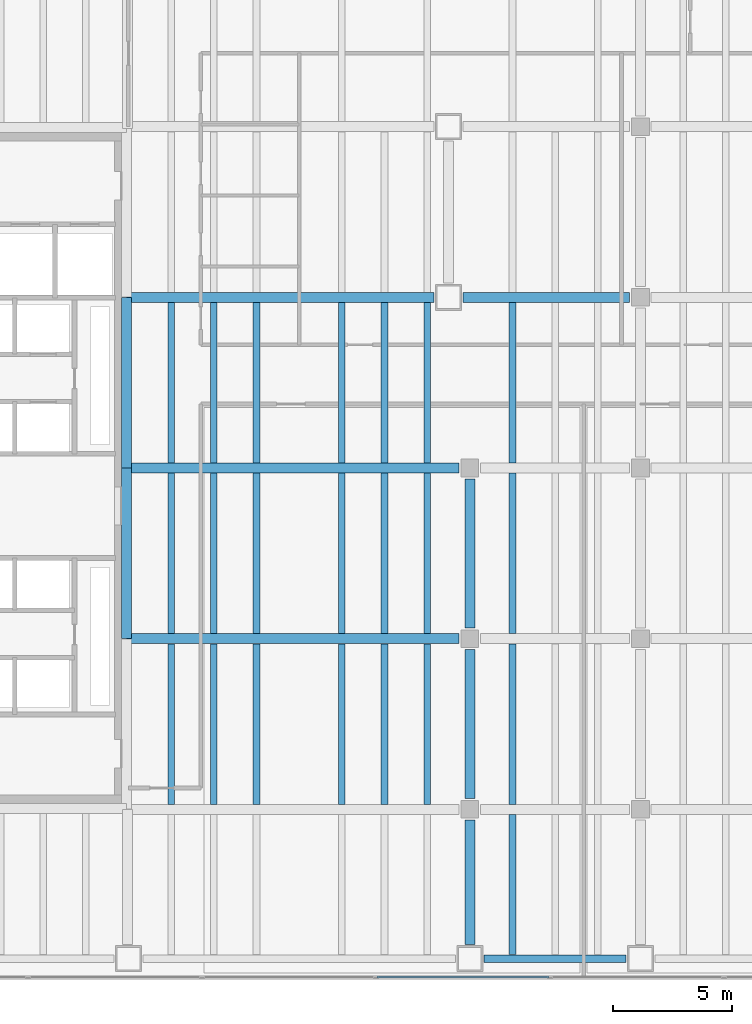
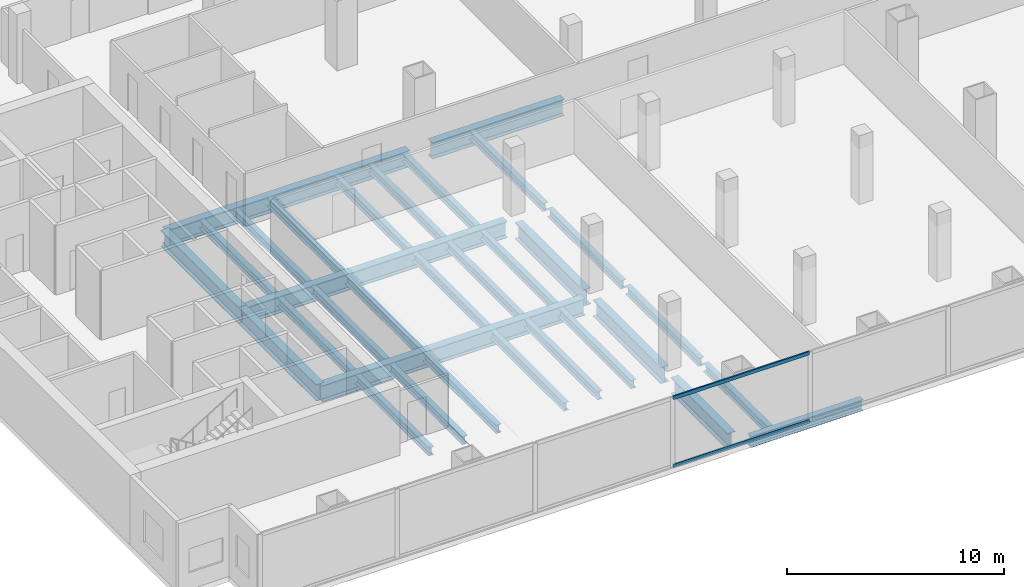
# One storey, part 4 of 28: 32 beams, 2 members, 1 element without a shape of its own.
"""IFC4 building model written with IfcOpenShell, lengths in metres."""

from ifc_helpers import new_model, si_unit, direction, frame, origin, origin_2d, place, context, subcontext, project, spatial, hollow_rectangle, i_section, extrude, material, material_profile, profile_set, type_object, element, aggregate, save


model = new_model("IFC4")

# Units and contexts
model_context = context("Model", 3, precision=1e-05, world=origin(), true_north=direction((0.0, 1.0)))
body_context = subcontext(model_context, "Body", "Model", "MODEL_VIEW")
ifc_project = project(units=[si_unit("LENGTHUNIT", "METRE"), si_unit("AREAUNIT", "SQUARE_METRE"), si_unit("VOLUMEUNIT", "CUBIC_METRE"), si_unit("PLANEANGLEUNIT", "RADIAN"), si_unit("MASSUNIT", "GRAM", prefix="KILO")], contexts=[model_context])

# Site, building, storey
site_placement = place(None, origin())
site = spatial("IfcSite", under=ifc_project, at=site_placement, CompositionType="ELEMENT")
building_placement = place(site_placement, origin())
building = spatial("IfcBuilding", under=site, at=building_placement, Name="Cobrela Telecom Tower", CompositionType="ELEMENT")
storey_placement = place(building_placement, frame((0.0, 0.0, 17.85009765625)))
storey = spatial("IfcBuildingStorey", under=building, at=storey_placement, Name="L04", CompositionType="ELEMENT", Elevation=17.85009765625)

# Beams
ifc_material_1 = material(Name="Steel ASTM A992 Grade 50", Category="steel")
ifc_material_profile_1 = material_profile(ifc_material_1, i_section(OverallWidth=0.4189453125, OverallDepth=0.927001953125, WebThickness=0.019287109375, FlangeThickness=0.031982421875, FilletRadius=0.02392578125, at=origin_2d()), Name="W36X231")
ifc_profile_set_1 = profile_set([ifc_material_profile_1], Name="Steel ASTM A992 Grade 50")
beam_type_1 = type_object("IfcBeamType", Name="BM-GIRD-02", PredefinedType="USERDEFINED", material=ifc_profile_set_1)
for number, where, z_axis, x_axis, name in (
    (1, (14.324951171875, 14.39990234375, -0.753662109375), (1.0, 0.0, 0.0), (0.0, 1.0, 0.0), "L04 Primary Girder X20"),
    (2, (14.324951171875, 21.60009765625, -0.753662109375), (1.0, 0.0, 0.0), (0.0, 1.0, 0.0), "L04 Primary Girder X29"),
):
    element("IfcBeam", number, at=place(storey_placement, frame(where, z_axis=z_axis, x_axis=x_axis)), inside=storey, type_object=beam_type_1, Name=name, ObjectType="GIRDER", PredefinedType="USERDEFINED", context=body_context, shape_type="SweptSolid", body=[
        extrude(i_section(OverallWidth=0.4189453125, OverallDepth=0.927001953125, WebThickness=0.019287109375, FlangeThickness=0.031982421875, FilletRadius=0.02392578125, at=origin_2d()), origin(), (0.0, 0.0, 1.0), 14.02001953125),
    ])
beam_1_placement = place(storey_placement, frame((14.324951171875, 28.800048828125, -0.753662109375), z_axis=(1.0, 0.0, 0.0), x_axis=(0.0, 1.0, 0.0)))
element("IfcBeam", 3, at=beam_1_placement, inside=storey, type_object=beam_type_1, Name="L04 Primary Girder X38", ObjectType="GIRDER", PredefinedType="USERDEFINED", context=body_context, shape_type="SweptSolid", body=[
    extrude(i_section(OverallWidth=0.4189453125, OverallDepth=0.927001953125, WebThickness=0.019287109375, FlangeThickness=0.031982421875, FilletRadius=0.02392578125, at=origin_2d()), origin(), (0.0, 0.0, 1.0), 12.969970703125),
])
beam_2_placement = place(storey_placement, frame((28.5048828125, 28.800048828125, -0.753662109375), z_axis=(1.0, 0.0, 0.0), x_axis=(0.0, 1.0, 0.0)))
element("IfcBeam", 4, at=beam_2_placement, inside=storey, type_object=beam_type_1, Name="L04 Primary Girder X39", ObjectType="GIRDER", PredefinedType="USERDEFINED", context=body_context, shape_type="SweptSolid", body=[
    extrude(i_section(OverallWidth=0.4189453125, OverallDepth=0.927001953125, WebThickness=0.019287109375, FlangeThickness=0.031982421875, FilletRadius=0.02392578125, at=origin_2d()), origin(), (0.0, 0.0, 1.0), 7.0400390625),
])
for number, where, z_axis, x_axis, name in (
    (5, (14.320068359375, 14.405029296875, -0.753662109375), (0.0, 1.0, 0.0), (-1.0, 0.0, 0.0), "L04 Primary Girder Y62"),
    (6, (14.320068359375, 21.60498046875, -0.753662109375), (0.0, 1.0, 0.0), (-1.0, 0.0, 0.0), "L04 Primary Girder Y63"),
):
    element("IfcBeam", number, at=place(storey_placement, frame(where, z_axis=z_axis, x_axis=x_axis)), inside=storey, type_object=beam_type_1, Name=name, ObjectType="GIRDER", PredefinedType="USERDEFINED", context=body_context, shape_type="SweptSolid", body=[
        extrude(i_section(OverallWidth=0.4189453125, OverallDepth=0.927001953125, WebThickness=0.019287109375, FlangeThickness=0.031982421875, FilletRadius=0.02392578125, at=origin_2d()), origin(), (0.0, 0.0, 1.0), 7.18994140625),
    ])
beam_3_placement = place(storey_placement, frame((28.800048828125, 1.5048828125, -0.753662109375), z_axis=(0.0, 1.0, 0.0), x_axis=(-1.0, 0.0, 0.0)))
element("IfcBeam", 7, at=beam_3_placement, inside=storey, type_object=beam_type_1, Name="L04 Primary Girder Y68", ObjectType="GIRDER", PredefinedType="USERDEFINED", context=body_context, shape_type="SweptSolid", body=[
    extrude(i_section(OverallWidth=0.4189453125, OverallDepth=0.927001953125, WebThickness=0.019287109375, FlangeThickness=0.031982421875, FilletRadius=0.02392578125, at=origin_2d()), origin(), (0.0, 0.0, 1.0), 5.240234375),
])
for number, where, z_axis, x_axis, name in (
    (8, (28.800048828125, 7.655029296875, -0.753662109375), (0.0, 1.0, 0.0), (-1.0, 0.0, 0.0), "L04 Primary Girder Y69"),
    (9, (28.800048828125, 14.85498046875, -0.753662109375), (0.0, 1.0, 0.0), (-1.0, 0.0, 0.0), "L04 Primary Girder Y70"),
):
    element("IfcBeam", number, at=place(storey_placement, frame(where, z_axis=z_axis, x_axis=x_axis)), inside=storey, type_object=beam_type_1, Name=name, ObjectType="GIRDER", PredefinedType="USERDEFINED", context=body_context, shape_type="SweptSolid", body=[
        extrude(i_section(OverallWidth=0.4189453125, OverallDepth=0.927001953125, WebThickness=0.019287109375, FlangeThickness=0.031982421875, FilletRadius=0.02392578125, at=origin_2d()), origin(), (0.0, 0.0, 1.0), 6.2900390625),
    ])
ifc_material_profile_2 = material_profile(ifc_material_1, i_section(OverallWidth=0.281982421875, OverallDepth=0.467041015625, WebThickness=0.01220703125, FlangeThickness=0.01953125, FilletRadius=0.012939453125, at=origin_2d()), Name="W18X86")
ifc_profile_set_2 = profile_set([ifc_material_profile_2], Name="Steel ASTM A992 Grade 50")
beam_type_2 = type_object("IfcBeamType", Name="BM-JOIST-02", PredefinedType="JOIST", material=ifc_profile_set_2)
for number, where, z_axis, x_axis, name in (
    (10, (16.199951171875, 7.41455078125, -0.523681640625), (0.0, 1.0, 0.0), (-1.0, 0.0, 0.0), "L04 Secondary Composite Floor Beam J14"),
    (11, (16.199951171875, 14.614501953125, -0.523681640625), (0.0, 1.0, 0.0), (-1.0, 0.0, 0.0), "L04 Secondary Composite Floor Beam J15"),
    (12, (16.199951171875, 21.814453125, -0.523681640625), (0.0, 1.0, 0.0), (-1.0, 0.0, 0.0), "L04 Secondary Composite Floor Beam J16"),
    (13, (18.0, 7.41455078125, -0.523681640625), (0.0, 1.0, 0.0), (-1.0, 0.0, 0.0), "L04 Secondary Composite Floor Beam J21"),
    (14, (18.0, 14.614501953125, -0.523681640625), (0.0, 1.0, 0.0), (-1.0, 0.0, 0.0), "L04 Secondary Composite Floor Beam J22"),
    (15, (18.0, 21.814453125, -0.523681640625), (0.0, 1.0, 0.0), (-1.0, 0.0, 0.0), "L04 Secondary Composite Floor Beam J23"),
    (16, (19.800048828125, 7.41455078125, -0.523681640625), (0.0, 1.0, 0.0), (-1.0, 0.0, 0.0), "L04 Secondary Composite Floor Beam J28"),
    (17, (19.800048828125, 14.614501953125, -0.523681640625), (0.0, 1.0, 0.0), (-1.0, 0.0, 0.0), "L04 Secondary Composite Floor Beam J29"),
    (18, (19.800048828125, 21.814453125, -0.523681640625), (0.0, 1.0, 0.0), (-1.0, 0.0, 0.0), "L04 Secondary Composite Floor Beam J30"),
    (19, (23.39990234375, 7.41455078125, -0.523681640625), (0.0, 1.0, 0.0), (-1.0, 0.0, 0.0), "L04 Secondary Composite Floor Beam J35"),
    (20, (23.39990234375, 14.614501953125, -0.523681640625), (0.0, 1.0, 0.0), (-1.0, 0.0, 0.0), "L04 Secondary Composite Floor Beam J36"),
    (21, (23.39990234375, 21.814453125, -0.523681640625), (0.0, 1.0, 0.0), (-1.0, 0.0, 0.0), "L04 Secondary Composite Floor Beam J37"),
    (22, (25.199951171875, 7.41455078125, -0.523681640625), (0.0, 1.0, 0.0), (-1.0, 0.0, 0.0), "L04 Secondary Composite Floor Beam J41"),
    (23, (25.199951171875, 14.614501953125, -0.523681640625), (0.0, 1.0, 0.0), (-1.0, 0.0, 0.0), "L04 Secondary Composite Floor Beam J42"),
    (24, (25.199951171875, 21.814453125, -0.523681640625), (0.0, 1.0, 0.0), (-1.0, 0.0, 0.0), "L04 Secondary Composite Floor Beam J43"),
    (25, (27.0, 7.41455078125, -0.523681640625), (0.0, 1.0, 0.0), (-1.0, 0.0, 0.0), "L04 Secondary Composite Floor Beam J46"),
    (26, (27.0, 14.614501953125, -0.523681640625), (0.0, 1.0, 0.0), (-1.0, 0.0, 0.0), "L04 Secondary Composite Floor Beam J47"),
    (27, (27.0, 21.814453125, -0.523681640625), (0.0, 1.0, 0.0), (-1.0, 0.0, 0.0), "L04 Secondary Composite Floor Beam J48"),
):
    element("IfcBeam", number, at=place(storey_placement, frame(where, z_axis=z_axis, x_axis=x_axis)), inside=storey, type_object=beam_type_2, Name=name, PredefinedType="JOIST", context=body_context, shape_type="SweptSolid", body=[
        extrude(i_section(OverallWidth=0.281982421875, OverallDepth=0.467041015625, WebThickness=0.01220703125, FlangeThickness=0.01953125, FilletRadius=0.012939453125, at=origin_2d()), origin(), (0.0, 0.0, 1.0), 6.77099609375),
    ])
beam_4_placement = place(storey_placement, frame((30.60009765625, 1.0673828125, -0.523681640625), z_axis=(0.0, 1.0, 0.0), x_axis=(-1.0, 0.0, 0.0)))
element("IfcBeam", 28, at=beam_4_placement, inside=storey, type_object=beam_type_2, Name="L04 Secondary Composite Floor Beam J51", PredefinedType="JOIST", context=body_context, shape_type="SweptSolid", body=[
    extrude(i_section(OverallWidth=0.281982421875, OverallDepth=0.467041015625, WebThickness=0.01220703125, FlangeThickness=0.01953125, FilletRadius=0.012939453125, at=origin_2d()), origin(), (0.0, 0.0, 1.0), 5.918212890625),
])
for number, where, z_axis, x_axis, name in (
    (29, (30.60009765625, 7.41455078125, -0.523681640625), (0.0, 1.0, 0.0), (-1.0, 0.0, 0.0), "L04 Secondary Composite Floor Beam J52"),
    (30, (30.60009765625, 14.614501953125, -0.523681640625), (0.0, 1.0, 0.0), (-1.0, 0.0, 0.0), "L04 Secondary Composite Floor Beam J53"),
    (31, (30.60009765625, 21.814453125, -0.523681640625), (0.0, 1.0, 0.0), (-1.0, 0.0, 0.0), "L04 Secondary Composite Floor Beam J54"),
):
    element("IfcBeam", number, at=place(storey_placement, frame(where, z_axis=z_axis, x_axis=x_axis)), inside=storey, type_object=beam_type_2, Name=name, PredefinedType="JOIST", context=body_context, shape_type="SweptSolid", body=[
        extrude(i_section(OverallWidth=0.281982421875, OverallDepth=0.467041015625, WebThickness=0.01220703125, FlangeThickness=0.01953125, FilletRadius=0.012939453125, at=origin_2d()), origin(), (0.0, 0.0, 1.0), 6.77099609375),
    ])
ifc_material_profile_3 = material_profile(ifc_material_1, i_section(OverallWidth=0.324951171875, OverallDepth=0.612060546875, WebThickness=0.0126953125, FlangeThickness=0.01904296875, FilletRadius=0.014892578125, at=origin_2d()), Name="W24X104")
ifc_profile_set_3 = profile_set([ifc_material_profile_3], Name="Steel ASTM A992 Grade 50")
beam_type_3 = type_object("IfcBeamType", Name="BM-SPAND-02", PredefinedType="SPANDREL", material=ifc_profile_set_3)
beam_5_placement = place(storey_placement, frame((29.405029296875, 0.89990234375, -0.59619140625), z_axis=(1.0, 0.0, 0.0), x_axis=(0.0, 1.0, 0.0)))
element("IfcBeam", 32, at=beam_5_placement, inside=storey, type_object=beam_type_3, Name="L04 Perimeter Spandrel X03", PredefinedType="SPANDREL", context=body_context, shape_type="SweptSolid", body=[
    extrude(i_section(OverallWidth=0.324951171875, OverallDepth=0.612060546875, WebThickness=0.0126953125, FlangeThickness=0.01904296875, FilletRadius=0.014892578125, at=origin_2d()), origin(), (0.0, 0.0, 1.0), 5.989990234375),
])

# Curtain wall, members
ifc_material_2 = material(Name="Anodized Bronze Aluminium 6063-T6", Category="aluminium")
curtain_wall_type = type_object("IfcCurtainWallType", Name="CW-SYS-CONC", PredefinedType="USERDEFINED", material=ifc_material_2)
curtain_wall_placement = place(storey_placement, origin())
curtain_wall = element("IfcCurtainWall", 33, at=curtain_wall_placement, inside=storey, type_object=curtain_wall_type, Name="L04 Unitised Bronze Curtain Wall 17", ObjectType="UNITISED CURTAIN WALL", PredefinedType="USERDEFINED")
ifc_material_profile_4 = material_profile(ifc_material_2, hollow_rectangle(XDim=0.080078125, YDim=0.199951171875, WallThickness=0.00390625, at=origin_2d()), Name="ALU 80x200x4")
ifc_profile_set_4 = profile_set([ifc_material_profile_4], Name="Anodized Bronze Aluminium 6063-T6")
member_type = type_object("IfcMemberType", Name="CW-SYS-CONC-TRN", PredefinedType="USERDEFINED", material=ifc_profile_set_4)
member_1_placement = place(storey_placement, frame((32.147216796875, 0.1201171875, 0.039794921875), z_axis=(-1.0, 0.0, 0.0), x_axis=(0.0, -1.0, 0.0)))
member_1 = element("IfcMember", 34, at=member_1_placement, type_object=member_type, Name="CW-CONC transom 8.1", ObjectType="TRANSOM", PredefinedType="USERDEFINED", context=body_context, shape_type="SweptSolid", body=[
    extrude(hollow_rectangle(XDim=0.080078125, YDim=0.199951171875, WallThickness=0.00390625, at=origin_2d()), origin(), (0.0, 0.0, 1.0), 7.26171875),
])
member_2_placement = place(storey_placement, frame((32.147216796875, 0.1201171875, 3.869873046875), z_axis=(-1.0, 0.0, 0.0), x_axis=(0.0, -1.0, 0.0)))
member_2 = element("IfcMember", 35, at=member_2_placement, type_object=member_type, Name="CW-CONC transom 8.2", ObjectType="TRANSOM", PredefinedType="USERDEFINED", context=body_context, shape_type="SweptSolid", body=[
    extrude(hollow_rectangle(XDim=0.080078125, YDim=0.199951171875, WallThickness=0.00390625, at=origin_2d()), origin(), (0.0, 0.0, 1.0), 7.26171875),
])
aggregate(curtain_wall, [member_1, member_2])

save(model, "model.ifc")
